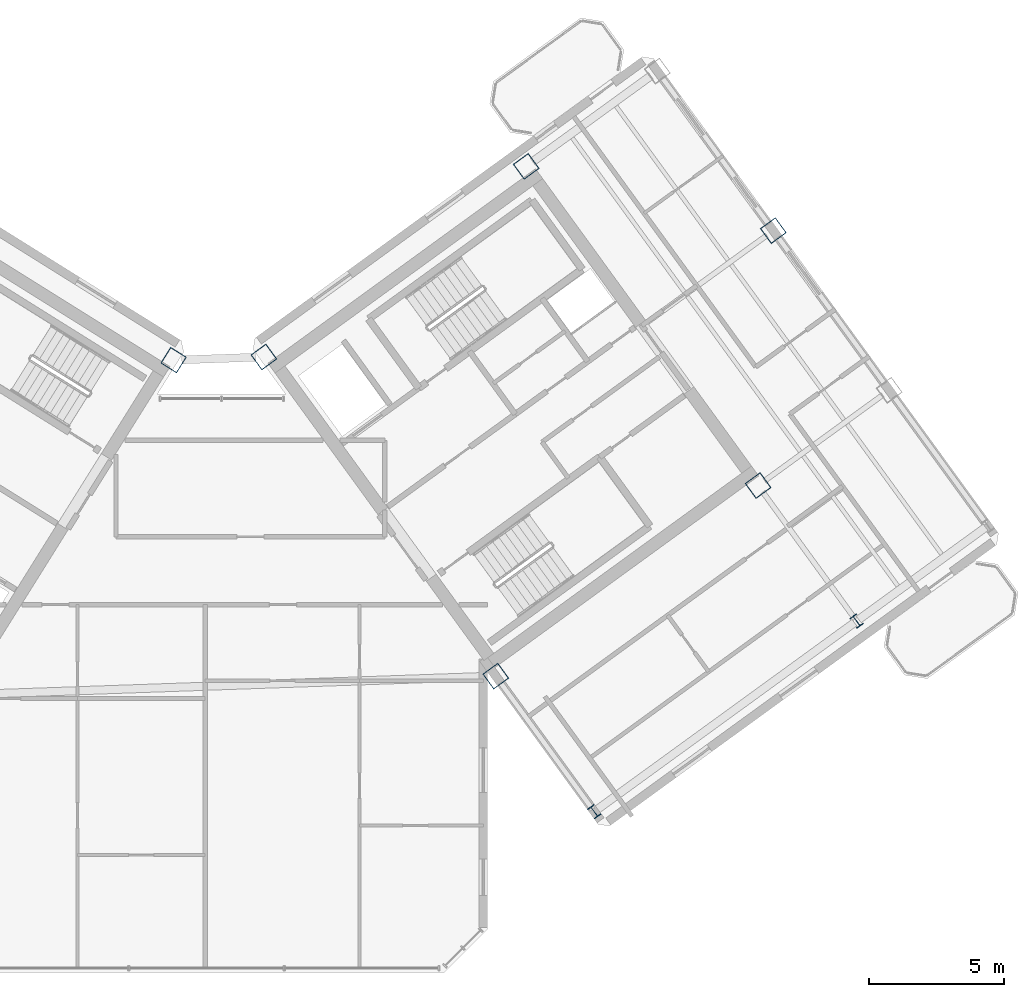
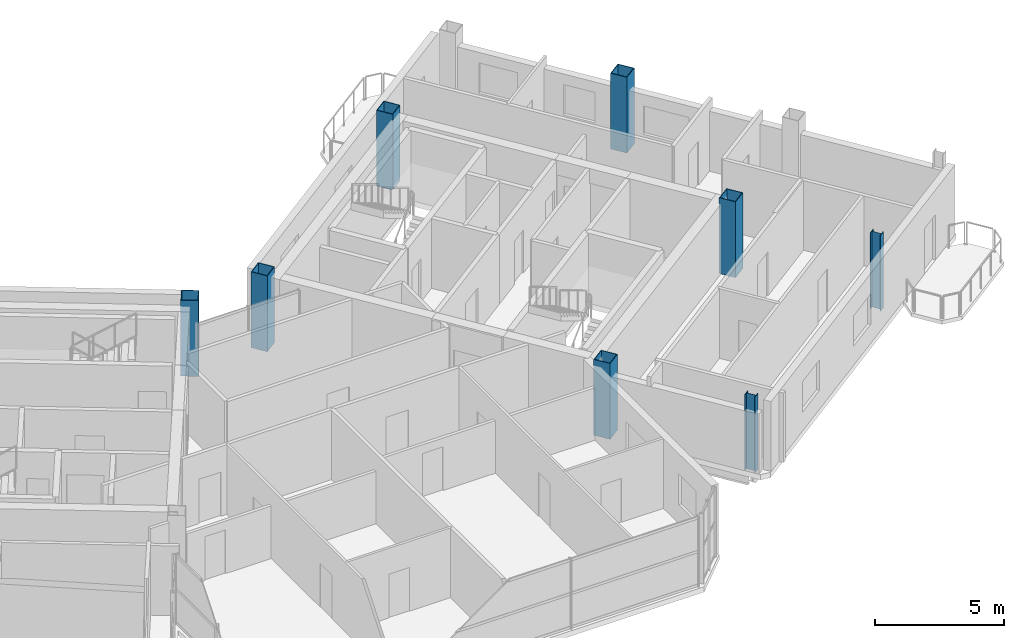
# One storey, part 2 of 25: 8 columns.
"""IFC4 building model written with IfcOpenShell, lengths in metres."""

from ifc_helpers import new_model, si_unit, direction, frame, origin, origin_2d, place, context, subcontext, project, spatial, hollow_rectangle, i_section, extrude, source, transform, mapped, material, material_profile, profile_set, type_object, element, save


model = new_model("IFC4")

# Units and contexts
model_context = context("Model", 3, precision=1e-05, world=origin(), true_north=direction((0.0, 1.0)))
body_context = subcontext(model_context, "Body", "Model", "MODEL_VIEW")
ifc_project = project(units=[si_unit("LENGTHUNIT", "METRE"), si_unit("AREAUNIT", "SQUARE_METRE"), si_unit("VOLUMEUNIT", "CUBIC_METRE"), si_unit("PLANEANGLEUNIT", "RADIAN"), si_unit("MASSUNIT", "GRAM", prefix="KILO")], contexts=[model_context])

# Site, building, storey
site_placement = place(None, origin())
site = spatial("IfcSite", under=ifc_project, at=site_placement, CompositionType="ELEMENT")
building_placement = place(site_placement, origin())
building = spatial("IfcBuilding", under=site, at=building_placement, Name="Tlacorven Tower", CompositionType="ELEMENT")
storey_placement = place(building_placement, frame((0.0, 0.0, 251.10009765625)))
storey = spatial("IfcBuildingStorey", under=building, at=storey_placement, Name="L63", CompositionType="ELEMENT", Elevation=251.10009765625)

# Columns
ifc_material_1 = material(Name="Steel S355J2", Category="steel")
ifc_material_profile_1 = material_profile(ifc_material_1, i_section(OverallWidth=0.300048828125, OverallDepth=0.449951171875, WebThickness=0.013916015625, FlangeThickness=0.02587890625, at=origin_2d()), Name="HEB 450")
ifc_profile_set_1 = profile_set([ifc_material_profile_1], Name="Steel S355J2")
column_type_1 = type_object("IfcColumnType", Name="COL-TWR-P3", PredefinedType="COLUMN", material=ifc_profile_set_1)
shared_shape_1 = source(origin(), body_context, "Body", "SweptSolid", [
    extrude(i_section(OverallWidth=0.300048828125, OverallDepth=0.449951171875, WebThickness=0.013916015625, FlangeThickness=0.02587890625, at=origin_2d()), origin(), (0.0, 0.0, 1.0), 3.599853515625),
])
for number, where, z_axis, x_axis, name in (
    (1, (56.349609375, 7.757568359375, 0.0), (0.0, 0.0, 1.0), (0.809016994375, 0.587785252292, 0.0), "L63 column COL-L63-E1-1"),
    (2, (66.057861328125, 14.81103515625, 0.0), (0.0, 0.0, 1.0), (0.809016994375, 0.587785252292, 0.0), "L63 column COL-L63-E3-1"),
):
    element("IfcColumn", number, at=place(storey_placement, frame(where, z_axis=z_axis, x_axis=x_axis)), inside=storey, type_object=column_type_1, Name=name, PredefinedType="COLUMN", context=body_context, shape_type="MappedRepresentation", body=[
        mapped(shared_shape_1, transform((0.0, 0.0, 0.0), scale=1.0)),
    ])
ifc_material_2 = material(Name="Steel S460M", Category="steel")
ifc_material_profile_2 = material_profile(ifc_material_2, hollow_rectangle(XDim=0.699951171875, YDim=0.699951171875, WallThickness=0.028076171875, at=origin_2d()), Name="BOX 700X700X28")
ifc_profile_set_2 = profile_set([ifc_material_profile_2], Name="Steel S460M")
column_type_2 = type_object("IfcColumnType", Name="COL-TWR-S4", PredefinedType="COLUMN", material=ifc_profile_set_2)
shared_shape_2 = source(origin(), body_context, "Body", "SweptSolid", [
    extrude(hollow_rectangle(XDim=0.699951171875, YDim=0.699951171875, WallThickness=0.028076171875, at=origin_2d()), origin(), (0.0, 0.0, 1.0), 3.599853515625),
])
for number, where, z_axis, x_axis, name in (
    (3, (40.782958984375, 24.468505859375, 0.0), (0.0, 0.0, 1.0), (-0.848048096156, 0.529919264233, 0.0), "L63 column COL-L63-W1-1"),
    (4, (52.705322265625, 12.7734375, 0.0), (0.0, 0.0, 1.0), (0.809016994375, 0.587785252292, 0.0), "L63 column COL-L63-E1-2"),
    (5, (44.123779296875, 24.5849609375, 0.0), (0.0, 0.0, 1.0), (0.809016994375, 0.587785252292, 0.0), "L63 column COL-L63-E1-4"),
    (6, (62.41357421875, 19.826904296875, 0.0), (0.0, 0.0, 1.0), (0.809016994375, 0.587785252292, 0.0), "L63 column COL-L63-E3-2"),
    (7, (53.83203125, 31.638427734375, 0.0), (0.0, 0.0, 1.0), (0.809016994375, 0.587785252292, 0.0), "L63 column COL-L63-E3-4"),
    (8, (62.976806640625, 29.25927734375, 0.0), (0.0, 0.0, 1.0), (0.809016994375, 0.587785252292, 0.0), "L63 column COL-L63-E4-3"),
):
    element("IfcColumn", number, at=place(storey_placement, frame(where, z_axis=z_axis, x_axis=x_axis)), inside=storey, type_object=column_type_2, Name=name, PredefinedType="COLUMN", context=body_context, shape_type="MappedRepresentation", body=[
        mapped(shared_shape_2, transform((0.0, 0.0, 0.0), scale=1.0)),
    ])

save(model, "model.ifc")
